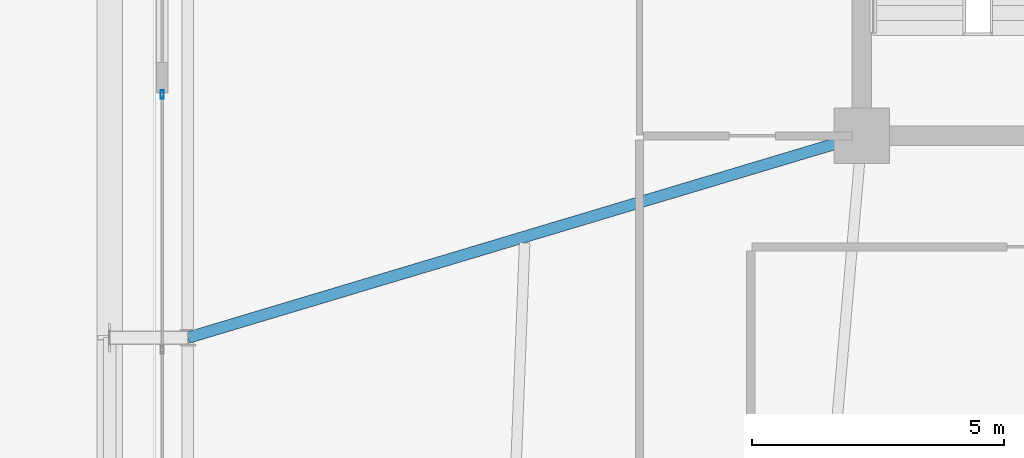
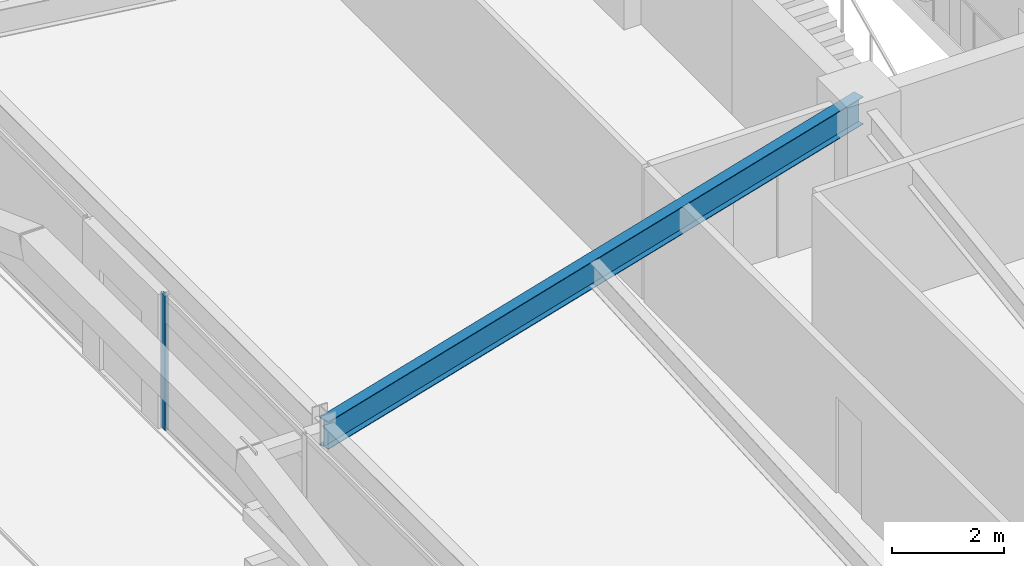
# One storey, part 15 of 56: 1 beam, 1 member, 1 element without a shape of its own.
"""IFC4 building model written with IfcOpenShell, lengths in metres."""

from ifc_helpers import new_model, si_unit, direction, frame, origin, origin_2d, place, context, subcontext, project, spatial, hollow_rectangle, i_section, extrude, source, transform, mapped, material, layer, layer_set, material_profile, profile_set, type_object, element, aggregate, save


model = new_model("IFC4")

# Units and contexts
model_context = context("Model", 3, precision=1e-05, world=origin(), true_north=direction((0.0, 1.0)))
body_context = subcontext(model_context, "Body", "Model", "MODEL_VIEW")
ifc_project = project(units=[si_unit("LENGTHUNIT", "METRE"), si_unit("AREAUNIT", "SQUARE_METRE"), si_unit("VOLUMEUNIT", "CUBIC_METRE"), si_unit("PLANEANGLEUNIT", "RADIAN"), si_unit("MASSUNIT", "GRAM", prefix="KILO")], contexts=[model_context])

# Site, building, storey
site_placement = place(None, origin())
site = spatial("IfcSite", under=ifc_project, at=site_placement, CompositionType="ELEMENT")
building_placement = place(site_placement, origin())
building = spatial("IfcBuilding", under=site, at=building_placement, Name="Taldren Reach Tower", CompositionType="ELEMENT")
storey_placement = place(building_placement, frame((0.0, 0.0, 16.800048828125)))
storey = spatial("IfcBuildingStorey", under=building, at=storey_placement, Name="L04", CompositionType="ELEMENT", Elevation=16.800048828125)

# Beam
ifc_material_1 = material(Name="Steel Gr 350 (350PLUS)", Category="steel")
ifc_material_profile_1 = material_profile(ifc_material_1, i_section(OverallWidth=0.22802734375, OverallDepth=0.60205078125, WebThickness=0.010498046875, FlangeThickness=0.014892578125, at=origin_2d()), Name="610UB101")
ifc_profile_set_1 = profile_set([ifc_material_profile_1], Name="Steel Gr 350 (350PLUS)")
beam_type = type_object("IfcBeamType", Name="BM-UB610B", PredefinedType="BEAM", material=ifc_profile_set_1)
shared_shape_1 = source(origin(), body_context, "Body", "SweptSolid", [
    extrude(i_section(OverallWidth=0.22802734375, OverallDepth=0.60205078125, WebThickness=0.010498046875, FlangeThickness=0.014892578125, at=origin_2d()), origin(), (0.0, 0.0, 1.0), 13.9365234375),
])
beam_placement = place(storey_placement, frame((19.0, 24.0, 2.62890625), z_axis=(-0.957925550891, -0.287016792104, 0.0), x_axis=(0.287016792104, -0.957925550891, 0.0)))
element("IfcBeam", 1, at=beam_placement, inside=storey, type_object=beam_type, Name="Primary floor girder B1-W2 L04", PredefinedType="BEAM", context=body_context, shape_type="MappedRepresentation", body=[
    mapped(shared_shape_1, transform((0.0, 0.0, 0.0), scale=1.0)),
])

# Curtain wall, member
ifc_material_2 = material(Name="Aluminium and Low-E Glass Unitised System", Category="aluminium")
ifc_layer = layer(ifc_material_2, 0.159912109375)
ifc_layer_set = layer_set([ifc_layer], Name="Aluminium and Low-E Glass Unitised System")
curtain_wall_type = type_object("IfcCurtainWallType", Name="CW-SYS-2", PredefinedType="NOTDEFINED", material=ifc_layer_set)
curtain_wall_placement = place(storey_placement, origin())
curtain_wall = element("IfcCurtainWall", 2, at=curtain_wall_placement, inside=storey, type_object=curtain_wall_type, Name="Unitised curtain wall CW-L04-W2", PredefinedType="NOTDEFINED")
ifc_material_3 = material(Name="Anodised Aluminium 6063-T6", Category="aluminium")
ifc_material_profile_2 = material_profile(ifc_material_3, hollow_rectangle(XDim=0.06494140625, YDim=0.1650390625, WallThickness=0.00390625, at=origin_2d()), Name="ALU-165x65x4RHS")
ifc_profile_set_2 = profile_set([ifc_material_profile_2], Name="Anodised Aluminium 6063-T6")
member_type = type_object("IfcMemberType", Name="CW-MUL-165", PredefinedType="MULLION", material=ifc_profile_set_2)
shared_shape_2 = source(origin(), body_context, "Body", "SweptSolid", [
    extrude(hollow_rectangle(XDim=0.06494140625, YDim=0.1650390625, WallThickness=0.00390625, at=origin_2d()), origin(), (0.0, 0.0, 1.0), 2.929931640625),
])
member_placement = place(storey_placement, frame((5.139892578125, 24.8173828125, 0.0), z_axis=(0.0, 0.0, 1.0), x_axis=(1.0, 0.0, 0.0)))
member = element("IfcMember", 3, at=member_placement, type_object=member_type, Name="CW-2 mullion 1", PredefinedType="MULLION", context=body_context, shape_type="MappedRepresentation", body=[
    mapped(shared_shape_2, transform((0.0, 0.0, 0.0), scale=1.0)),
])
aggregate(curtain_wall, [member])

save(model, "model.ifc")
